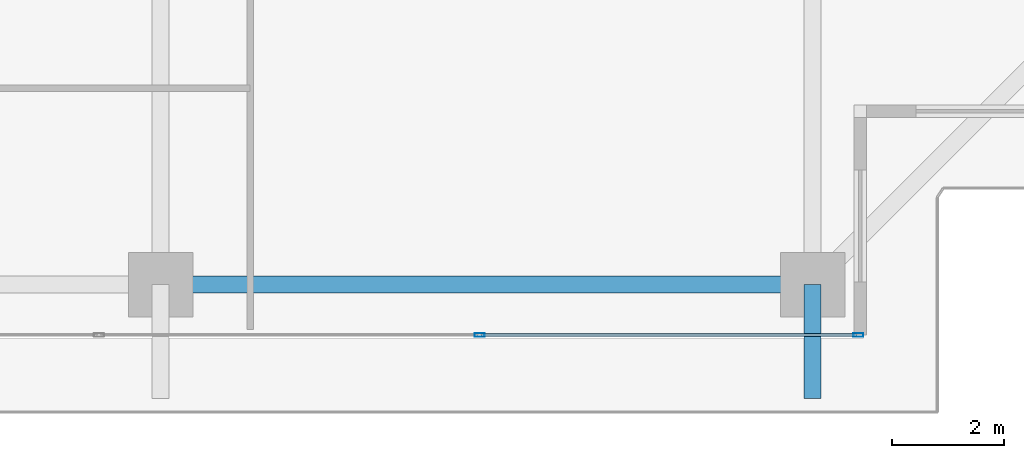
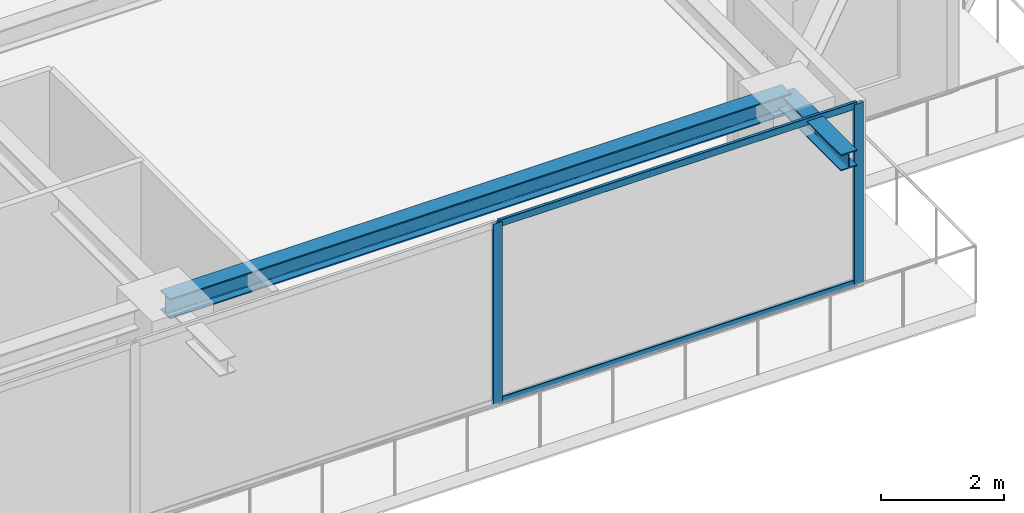
# One storey, part 11 of 37: 4 members, 2 beams, 1 element without a shape of its own.
"""IFC4 building model written with IfcOpenShell, lengths in metres."""

from ifc_helpers import new_model, si_unit, direction, frame, origin, origin_2d, place, context, subcontext, project, spatial, hollow_rectangle, i_section, extrude, source, transform, mapped, material, layer, layer_set, material_profile, profile_set, type_object, element, aggregate, save


model = new_model("IFC4")

# Units and contexts
model_context = context("Model", 3, precision=1e-05, world=origin(), true_north=direction((0.0, 1.0)))
body_context = subcontext(model_context, "Body", "Model", "MODEL_VIEW")
ifc_project = project(units=[si_unit("LENGTHUNIT", "METRE"), si_unit("AREAUNIT", "SQUARE_METRE"), si_unit("VOLUMEUNIT", "CUBIC_METRE"), si_unit("PLANEANGLEUNIT", "RADIAN"), si_unit("MASSUNIT", "GRAM", prefix="KILO")], contexts=[model_context])

# Site, building, storey
site_placement = place(None, origin())
site = spatial("IfcSite", under=ifc_project, at=site_placement, CompositionType="ELEMENT")
building_placement = place(site_placement, origin())
building = spatial("IfcBuilding", under=site, at=building_placement, Name="Serunith Strait Residences", CompositionType="ELEMENT")
storey_placement = place(building_placement, frame((0.0, 0.0, 248.949951171875)))
storey = spatial("IfcBuildingStorey", under=building, at=storey_placement, Name="L62", CompositionType="ELEMENT", Elevation=248.949951171875)

# Beams
ifc_material_1 = material(Name="Steel S355J2", Category="steel")
ifc_material_profile_1 = material_profile(ifc_material_1, i_section(OverallWidth=0.300048828125, OverallDepth=0.39990234375, WebThickness=0.013427734375, FlangeThickness=0.02392578125, FilletRadius=0.027099609375, at=origin_2d()), Name="HEB 400")
ifc_profile_set_1 = profile_set([ifc_material_profile_1], Name="Steel S355J2")
beam_type_1 = type_object("IfcBeamType", Name="BM-HEB400", PredefinedType="BEAM", material=ifc_profile_set_1)
shared_shape_1 = source(origin(), body_context, "Body", "SweptSolid", [
    extrude(i_section(OverallWidth=0.300048828125, OverallDepth=0.39990234375, WebThickness=0.013427734375, FlangeThickness=0.02392578125, FilletRadius=0.027099609375, at=origin_2d()), origin(), (0.0, 0.0, 1.0), 11.650146484375),
])
beam_1_placement = place(storey_placement, frame((36.89990234375, 2.10009765625, 3.386962890625), z_axis=(1.0, 0.0, 0.0), x_axis=(0.0, 1.0, 0.0)))
element("IfcBeam", 1, at=beam_1_placement, inside=storey, type_object=beam_type_1, Name="L62 Perimeter Ring Beam 03", PredefinedType="BEAM", context=body_context, shape_type="MappedRepresentation", body=[
    mapped(shared_shape_1, transform((0.0, 0.0, 0.0), scale=1.0)),
])
ifc_material_profile_2 = material_profile(ifc_material_1, i_section(OverallWidth=0.300048828125, OverallDepth=0.320068359375, WebThickness=0.011474609375, FlangeThickness=0.0205078125, FilletRadius=0.027099609375, at=origin_2d()), Name="HEB 320")
ifc_profile_set_2 = profile_set([ifc_material_profile_2], Name="Steel S355J2")
beam_type_2 = type_object("IfcBeamType", Name="BM-HEB320", PredefinedType="BEAM", material=ifc_profile_set_2)
shared_shape_2 = source(origin(), body_context, "Body", "SweptSolid", [
    extrude(i_section(OverallWidth=0.300048828125, OverallDepth=0.320068359375, WebThickness=0.011474609375, FlangeThickness=0.0205078125, FilletRadius=0.027099609375, at=origin_2d()), origin(), (0.0, 0.0, 1.0), 2.030029296875),
])
beam_2_placement = place(storey_placement, frame((48.550048828125, 2.10009765625, 3.39697265625), z_axis=(0.0, -1.0, 0.0), x_axis=(1.0, 0.0, 0.0)))
element("IfcBeam", 2, at=beam_2_placement, inside=storey, type_object=beam_type_2, Name="L63 Cantilevered Balcony Rib TC-S4", PredefinedType="BEAM", context=body_context, shape_type="MappedRepresentation", body=[
    mapped(shared_shape_2, transform((0.0, 0.0, 0.0), scale=1.0)),
])

# Curtain wall, members
ifc_material_2 = material(Name="Pale-Champagne Anodised Aluminium", Category="aluminium")
ifc_layer = layer(ifc_material_2, 0.199951171875, Name="Pale-Champagne Anodised Aluminium")
ifc_layer_set = layer_set([ifc_layer], Name="Pale-Champagne Anodised Aluminium")
curtain_wall_type = type_object("IfcCurtainWallType", Name="CW-SYS4", PredefinedType="NOTDEFINED", material=ifc_layer_set)
curtain_wall_placement = place(storey_placement, origin())
curtain_wall = element("IfcCurtainWall", 3, at=curtain_wall_placement, inside=storey, type_object=curtain_wall_type, Name="L62 S Unitised Fritted Curtain Wall", PredefinedType="NOTDEFINED")
ifc_material_profile_3 = material_profile(ifc_material_2, hollow_rectangle(XDim=0.06494140625, YDim=0.179931640625, WallThickness=0.00341796875, InnerFilletRadius=0.00537109375, OuterFilletRadius=0.0087890625, at=origin_2d()), Name="ALU 180x65x3.5")
ifc_profile_set_3 = profile_set([ifc_material_profile_3], Name="Pale-Champagne Anodised Aluminium")
member_type_1 = type_object("IfcMemberType", Name="CW-SYS4-MULL", PredefinedType="MULLION", material=ifc_profile_set_3)
shared_shape_3 = source(origin(), body_context, "Body", "SweptSolid", [
    extrude(hollow_rectangle(XDim=0.06494140625, YDim=0.179931640625, WallThickness=0.00341796875, InnerFilletRadius=0.00537109375, OuterFilletRadius=0.0087890625, at=origin_2d()), origin(), (0.0, 0.0, 1.0), 3.574951171875),
])
member_1_placement = place(storey_placement, frame((42.60009765625, 1.199951171875, 0.0), z_axis=(0.0, 0.0, 1.0), x_axis=(0.0, 1.0, 0.0)))
member_1 = element("IfcMember", 4, at=member_1_placement, type_object=member_type_1, Name="CW-4 mullion 5", PredefinedType="MULLION", context=body_context, shape_type="MappedRepresentation", body=[
    mapped(shared_shape_3, transform((0.0, 0.0, 0.0), scale=1.0)),
])
member_2_placement = place(storey_placement, frame((49.367431640625, 1.199951171875, 0.0), z_axis=(0.0, 0.0, 1.0), x_axis=(0.0, 1.0, 0.0)))
member_2 = element("IfcMember", 5, at=member_2_placement, type_object=member_type_1, Name="CW-4 mullion 6", PredefinedType="MULLION", context=body_context, shape_type="MappedRepresentation", body=[
    mapped(shared_shape_3, transform((0.0, 0.0, 0.0), scale=1.0)),
])
ifc_material_profile_4 = material_profile(ifc_material_2, hollow_rectangle(XDim=0.06005859375, YDim=0.139892578125, WallThickness=0.00341796875, InnerFilletRadius=0.00537109375, OuterFilletRadius=0.0087890625, at=origin_2d()), Name="ALU 140x60x3.5")
ifc_profile_set_4 = profile_set([ifc_material_profile_4], Name="Pale-Champagne Anodised Aluminium")
member_type_2 = type_object("IfcMemberType", Name="CW-SYS4-TRAN", PredefinedType="USERDEFINED", material=ifc_profile_set_4)
shared_shape_4 = source(origin(), body_context, "Body", "SweptSolid", [
    extrude(hollow_rectangle(XDim=0.06005859375, YDim=0.139892578125, WallThickness=0.00341796875, InnerFilletRadius=0.00537109375, OuterFilletRadius=0.0087890625, at=origin_2d()), origin(), (0.0, 0.0, 1.0), 6.702392578125),
])
member_3_placement = place(storey_placement, frame((42.632568359375, 1.199951171875, 0.030029296875), z_axis=(1.0, 0.0, 0.0), x_axis=(0.0, 1.0, 0.0)))
member_3 = element("IfcMember", 6, at=member_3_placement, type_object=member_type_2, Name="CW-4 transom 5.1", ObjectType="TRANSOM", PredefinedType="USERDEFINED", context=body_context, shape_type="MappedRepresentation", body=[
    mapped(shared_shape_4, transform((0.0, 0.0, 0.0), scale=1.0)),
])
member_4_placement = place(storey_placement, frame((42.632568359375, 1.199951171875, 3.545166015625), z_axis=(1.0, 0.0, 0.0), x_axis=(0.0, 1.0, 0.0)))
member_4 = element("IfcMember", 7, at=member_4_placement, type_object=member_type_2, Name="CW-4 transom 5.2", ObjectType="TRANSOM", PredefinedType="USERDEFINED", context=body_context, shape_type="MappedRepresentation", body=[
    mapped(shared_shape_4, transform((0.0, 0.0, 0.0), scale=1.0)),
])
aggregate(curtain_wall, [member_1, member_2, member_3, member_4])

save(model, "model.ifc")
